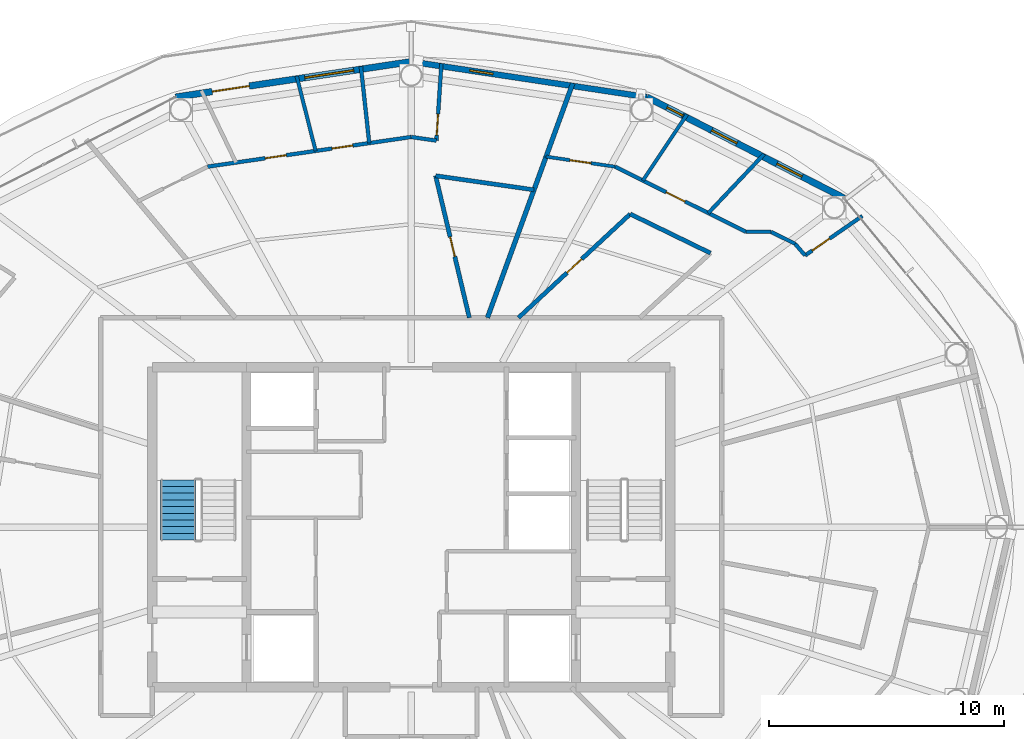
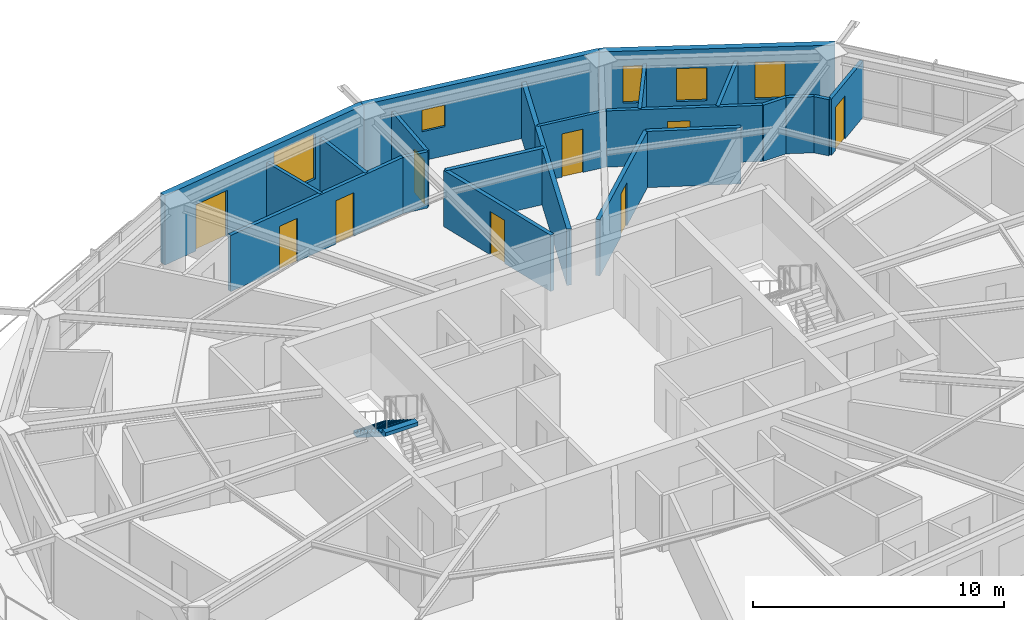
# One storey, part 19 of 23: 22 walls, 9 doors, 5 windows, 1 stair flight, 14 openings, 1 element without a shape of its own.
"""IFC4 building model written with IfcOpenShell, lengths in metres."""

from ifc_helpers import new_model, si_unit, direction, frame, frame_2d, origin, place, context, subcontext, project, spatial, polyline, rectangle, outline, extrude, material, layer, layer_set, type_object, element, fill, aggregate, save


model = new_model("IFC4")

# Units and contexts
model_context = context("Model", 3, precision=1e-05, world=origin(), true_north=direction((0.0, 1.0)))
body_context = subcontext(model_context, "Body", "Model", "MODEL_VIEW")
ifc_project = project(units=[si_unit("LENGTHUNIT", "METRE"), si_unit("AREAUNIT", "SQUARE_METRE"), si_unit("VOLUMEUNIT", "CUBIC_METRE"), si_unit("PLANEANGLEUNIT", "RADIAN"), si_unit("MASSUNIT", "GRAM", prefix="KILO")], contexts=[model_context])

# Site, building, storey
site_placement = place(None, origin())
site = spatial("IfcSite", under=ifc_project, at=site_placement, CompositionType="ELEMENT")
building_placement = place(site_placement, origin())
building = spatial("IfcBuilding", under=site, at=building_placement, Name="Sarneth Arch Tower", CompositionType="ELEMENT")
storey_placement = place(building_placement, frame((0.0, 0.0, 262.199951171875)))
storey = spatial("IfcBuildingStorey", under=building, at=storey_placement, Name="L67", CompositionType="ELEMENT", Elevation=262.199951171875)

# Wall, opening, window
ifc_material_1 = material(Name="Extruded terracotta rainscreen on Concrete C40/50 backing", Category="masonry")
ifc_layer_1 = layer(ifc_material_1, 0.25)
ifc_layer_set_1 = layer_set([ifc_layer_1], Name="Extruded terracotta rainscreen on Concrete C40/50 backing")
wall_type_1 = type_object("IfcWallType", Name="WALL-EXT-SPAND-250", PredefinedType="SOLIDWALL", material=ifc_layer_set_1)
wall_1_placement = place(storey_placement, frame((58.0126953125, 60.2744140625, 0.0), z_axis=(0.0, 0.0, 1.0), x_axis=(-0.988882522213, 0.148698881169, 0.0)))
wall_1 = element("IfcWall", 1, at=wall_1_placement, inside=storey, type_object=wall_type_1, Name="L67 Terracotta perimeter wall 04", PredefinedType="SOLIDWALL", context=body_context, shape_type="SweptSolid", body=[
    extrude(rectangle(XDim=10.125244140625, YDim=0.25, at=frame_2d((5.0625, 0.0))), origin(), (0.0, 0.0, 1.0), 3.3701171875),
])
opening_1_placement = place(wall_1_placement, frame((6.614013671875, 0.0, 1.419921875)))
opening_1 = element("IfcOpeningElement", 2, at=opening_1_placement, cuts=wall_1, Name="Opening W-14", PredefinedType="OPENING", context=body_context, shape_type="SweptSolid", body=[
    extrude(rectangle(XDim=1.0, YDim=1.050048828125, at=frame_2d((0.5, 0.52490234375))), frame((0.0, 0.135009765625, 0.0), z_axis=(0.0, -1.0, 0.0), x_axis=(1.0, 0.0, 0.0)), (0.0, 0.0, 1.0), 0.27001953125),
])
ifc_material_2 = material(Name="Thermally broken Aluminium 6063-T6 and low-e laminated IGU", Category="aluminium")
window_type_1 = type_object("IfcWindowType", Name="WIN-TWR-1000x1050", PartitioningType="SINGLE_PANEL", PredefinedType="WINDOW", material=ifc_material_2)
window_1_placement = place(opening_1_placement, origin())
window_1 = element("IfcWindow", 3, at=window_1_placement, inside=storey, type_object=window_type_1, Name="L67 Dwelling bedroom window 02", OverallHeight=1.050048828125, OverallWidth=1.0, PartitioningType="SINGLE_PANEL", PredefinedType="WINDOW", context=body_context, shape_type="SweptSolid", body=[
    extrude(rectangle(XDim=1.0, YDim=1.050048828125, at=frame_2d((0.5, 0.52490234375))), frame((0.0, 0.030029296875, 0.0), z_axis=(0.0, -1.0, 0.0), x_axis=(1.0, 0.0, 0.0)), (0.0, 0.0, 1.0), 0.06005859375),
])
fill(opening_1, window_1)

# Wall, openings, windows
ifc_material_3 = material(Name="Extruded terracotta rainscreen on Concrete C40/50 backing", Category="masonry")
ifc_layer_2 = layer(ifc_material_3, 0.280029296875)
ifc_layer_set_2 = layer_set([ifc_layer_2], Name="Extruded terracotta rainscreen on Concrete C40/50 backing")
wall_type_2 = type_object("IfcWallType", Name="WALL-EXT-TERRA-280", PredefinedType="SOLIDWALL", material=ifc_layer_set_2)
wall_2_placement = place(storey_placement, frame((66.382568359375, 55.986572265625, 0.0), z_axis=(0.0, 0.0, 1.0), x_axis=(-0.890007394051, 0.455946091699, 0.0)))
wall_2 = element("IfcWall", 4, at=wall_2_placement, inside=storey, type_object=wall_type_2, Name="L67 Terracotta perimeter wall 03", PredefinedType="SOLIDWALL", context=body_context, shape_type="SweptSolid", body=[
    extrude(rectangle(XDim=9.404296875, YDim=0.280029296875, at=frame_2d((4.7021484375, 0.0))), origin(), (0.0, 0.0, 1.0), 3.3701171875),
])
opening_2_placement = place(wall_2_placement, frame((1.996337890625, 0.0, 0.85009765625)))
opening_2 = element("IfcOpeningElement", 5, at=opening_2_placement, cuts=wall_2, Name="Opening W-09", PredefinedType="OPENING", context=body_context, shape_type="SweptSolid", body=[
    extrude(rectangle(XDim=1.199951171875, YDim=1.800048828125, at=frame_2d((0.60009765625, 0.89990234375))), frame((0.0, 0.14990234375, 0.0), z_axis=(0.0, -1.0, 0.0), x_axis=(1.0, 0.0, 0.0)), (0.0, 0.0, 1.0), 0.300048828125),
])
opening_3_placement = place(wall_2_placement, frame((5.10888671875, 0.0, 0.85009765625)))
opening_3 = element("IfcOpeningElement", 6, at=opening_3_placement, cuts=wall_2, Name="Opening W-10", PredefinedType="OPENING", context=body_context, shape_type="SweptSolid", body=[
    extrude(rectangle(XDim=1.199951171875, YDim=1.60009765625, at=frame_2d((0.60009765625, 0.800048828125))), frame((0.0, 0.14990234375, 0.0), z_axis=(0.0, -1.0, 0.0), x_axis=(1.0, 0.0, 0.0)), (0.0, 0.0, 1.0), 0.300048828125),
])
opening_4_placement = place(wall_2_placement, frame((7.690673828125, 0.0, 0.85009765625)))
opening_4 = element("IfcOpeningElement", 7, at=opening_4_placement, cuts=wall_2, Name="Opening W-13", PredefinedType="OPENING", context=body_context, shape_type="SweptSolid", body=[
    extrude(rectangle(XDim=0.75, YDim=1.800048828125, at=frame_2d((0.375, 0.89990234375))), frame((0.0, 0.14990234375, 0.0), z_axis=(0.0, -1.0, 0.0), x_axis=(1.0, 0.0, 0.0)), (0.0, 0.0, 1.0), 0.300048828125),
])
ifc_material_4 = material(Name="Thermally broken Aluminium 6063-T6 and low-e laminated IGU", Category="aluminium")
window_type_2 = type_object("IfcWindowType", Name="WIN-TWR-1200x1600", PartitioningType="SINGLE_PANEL", PredefinedType="WINDOW", material=ifc_material_4)
window_2_placement = place(opening_3_placement, origin())
window_2 = element("IfcWindow", 8, at=window_2_placement, inside=storey, type_object=window_type_2, Name="L67 Exterior window 03B", OverallHeight=1.60009765625, OverallWidth=1.199951171875, PartitioningType="SINGLE_PANEL", PredefinedType="WINDOW", context=body_context, shape_type="SweptSolid", body=[
    extrude(rectangle(XDim=1.199951171875, YDim=1.60009765625, at=frame_2d((0.60009765625, 0.800048828125))), frame((0.0, 0.030029296875, 0.0), z_axis=(0.0, -1.0, 0.0), x_axis=(1.0, 0.0, 0.0)), (0.0, 0.0, 1.0), 0.06005859375),
])
fill(opening_3, window_2)
ifc_material_5 = material(Name="Thermally broken Aluminium 6063-T6 and low-e laminated IGU", Category="aluminium")
window_type_3 = type_object("IfcWindowType", Name="WIN-TWR-1200x1800", PartitioningType="SINGLE_PANEL", PredefinedType="WINDOW", material=ifc_material_5)
window_3_placement = place(opening_2_placement, origin())
window_3 = element("IfcWindow", 9, at=window_3_placement, inside=storey, type_object=window_type_3, Name="L67 Exterior window 03A", OverallHeight=1.800048828125, OverallWidth=1.199951171875, PartitioningType="SINGLE_PANEL", PredefinedType="WINDOW", context=body_context, shape_type="SweptSolid", body=[
    extrude(rectangle(XDim=1.199951171875, YDim=1.800048828125, at=frame_2d((0.60009765625, 0.89990234375))), frame((0.0, 0.030029296875, 0.0), z_axis=(0.0, -1.0, 0.0), x_axis=(1.0, 0.0, 0.0)), (0.0, 0.0, 1.0), 0.06005859375),
])
fill(opening_2, window_3)
ifc_material_6 = material(Name="Thermally broken Aluminium 6063-T6 and low-e laminated IGU", Category="aluminium")
window_type_4 = type_object("IfcWindowType", Name="WIN-TWR-750x1800", PartitioningType="SINGLE_PANEL", PredefinedType="WINDOW", material=ifc_material_6)
window_4_placement = place(opening_4_placement, origin())
window_4 = element("IfcWindow", 10, at=window_4_placement, inside=storey, type_object=window_type_4, Name="L67 Dwelling bedroom window 01", OverallHeight=1.800048828125, OverallWidth=0.75, PartitioningType="SINGLE_PANEL", PredefinedType="WINDOW", context=body_context, shape_type="SweptSolid", body=[
    extrude(rectangle(XDim=0.75, YDim=1.800048828125, at=frame_2d((0.375, 0.89990234375))), frame((0.0, 0.030029296875, 0.0), z_axis=(0.0, -1.0, 0.0), x_axis=(1.0, 0.0, 0.0)), (0.0, 0.0, 1.0), 0.06005859375),
])
fill(opening_4, window_4)

# Wall, openings, door, window
wall_3_placement = place(storey_placement, frame((48.0, 61.780029296875, 0.0), z_axis=(0.0, 0.0, 1.0), x_axis=(-0.988882522213, -0.148698881169, 0.0)))
wall_3 = element("IfcWall", 11, at=wall_3_placement, inside=storey, type_object=wall_type_2, Name="L67 Terracotta perimeter wall 05", PredefinedType="SOLIDWALL", context=body_context, shape_type="SweptSolid", body=[
    extrude(rectangle(XDim=10.125244140625, YDim=0.280029296875, at=frame_2d((5.0625, 0.0))), origin(), (0.0, 0.0, 1.0), 3.3701171875),
])
opening_5_placement = place(wall_3_placement, frame((2.47509765625, 0.0, 0.85009765625)))
opening_5 = element("IfcOpeningElement", 12, at=opening_5_placement, cuts=wall_3, Name="Opening W-03", PredefinedType="OPENING", context=body_context, shape_type="SweptSolid", body=[
    extrude(rectangle(XDim=2.10009765625, YDim=2.199951171875, at=frame_2d((1.050048828125, 1.10009765625))), frame((0.0, 0.14990234375, 0.0), z_axis=(0.0, -1.0, 0.0), x_axis=(1.0, 0.0, 0.0)), (0.0, 0.0, 1.0), 0.300048828125),
])
opening_6_placement = place(wall_3_placement, frame((6.95556640625, 0.0, 0.0)))
opening_6 = element("IfcOpeningElement", 13, at=opening_6_placement, cuts=wall_3, Name="Opening BD-1", PredefinedType="OPENING", context=body_context, shape_type="SweptSolid", body=[
    extrude(rectangle(XDim=1.60009765625, YDim=2.25, at=frame_2d((0.800048828125, 1.125))), frame((0.0, 0.14990234375, 0.0), z_axis=(0.0, -1.0, 0.0), x_axis=(1.0, 0.0, 0.0)), (0.0, 0.0, 1.0), 0.300048828125),
])
ifc_material_7 = material(Name="Thermally broken Aluminium 6063-T6 and laminated safety glass", Category="aluminium")
door_type_1 = type_object("IfcDoorType", Name="DR-BALC-GLZ-1600", OperationType="DOUBLE_DOOR_SINGLE_SWING", PredefinedType="DOOR", material=ifc_material_7)
door_1_placement = place(opening_6_placement, origin())
door_1 = element("IfcDoor", 14, at=door_1_placement, inside=storey, type_object=door_type_1, Name="L67 Balcony glazed door 05", OperationType="DOUBLE_DOOR_SINGLE_SWING", OverallHeight=2.25, OverallWidth=1.60009765625, PredefinedType="DOOR", context=body_context, shape_type="SweptSolid", body=[
    extrude(rectangle(XDim=1.60009765625, YDim=2.25, at=frame_2d((0.800048828125, 1.125))), frame((0.0, 0.02490234375, 0.0), z_axis=(0.0, -1.0, 0.0), x_axis=(1.0, 0.0, 0.0)), (0.0, 0.0, 1.0), 0.050048828125),
])
fill(opening_6, door_1)
ifc_material_8 = material(Name="Thermally broken Aluminium 6063-T6 and low-e laminated IGU", Category="aluminium")
window_type_5 = type_object("IfcWindowType", Name="WIN-TWR-2100x2200", PartitioningType="DOUBLE_PANEL_VERTICAL", PredefinedType="WINDOW", material=ifc_material_8)
window_5_placement = place(opening_5_placement, origin())
window_5 = element("IfcWindow", 15, at=window_5_placement, inside=storey, type_object=window_type_5, Name="L67 Exterior window 05A", OverallHeight=2.199951171875, OverallWidth=2.10009765625, PartitioningType="SINGLE_PANEL", PredefinedType="WINDOW", context=body_context, shape_type="SweptSolid", body=[
    extrude(rectangle(XDim=2.10009765625, YDim=2.199951171875, at=frame_2d((1.050048828125, 1.10009765625))), frame((0.0, 0.030029296875, 0.0), z_axis=(0.0, -1.0, 0.0), x_axis=(1.0, 0.0, 0.0)), (0.0, 0.0, 1.0), 0.06005859375),
])
fill(opening_5, window_5)

# Wall, opening, door
ifc_material_9 = material(Name="Apartment internal stud partition", Category="gypsum")
ifc_layer_3 = layer(ifc_material_9, 0.139892578125)
ifc_layer_set_3 = layer_set([ifc_layer_3], Name="Apartment internal stud partition")
wall_type_3 = type_object("IfcWallType", Name="WALL-PART-140", PredefinedType="PARTITIONING", material=ifc_layer_set_3)
wall_4_placement = place(storey_placement, frame((53.73046875, 57.744384765625, 0.0), z_axis=(0.0, 0.0, 1.0), x_axis=(0.989530523264, -0.144323745545, 0.0)))
wall_4 = element("IfcWall", 16, at=wall_4_placement, inside=storey, type_object=wall_type_3, Name="L67 Interior partition W-L67-TP-033", PredefinedType="PARTITIONING", context=body_context, shape_type="SweptSolid", body=[
    extrude(rectangle(XDim=2.955322265625, YDim=0.139892578125, at=frame_2d((1.4775390625, 0.0))), origin(), (0.0, 0.0, 1.0), 2.72998046875),
])
opening_7_placement = place(wall_4_placement, frame((1.027587890625, 0.0, 0.0)))
opening_7 = element("IfcOpeningElement", 17, at=opening_7_placement, cuts=wall_4, Name="Opening ID-01", PredefinedType="OPENING", context=body_context, shape_type="SweptSolid", body=[
    extrude(rectangle(XDim=0.89990234375, YDim=2.10009765625, at=frame_2d((0.449951171875, 1.050048828125))), frame((0.0, 0.079833984375, 0.0), z_axis=(0.0, -1.0, 0.0), x_axis=(1.0, 0.0, 0.0)), (0.0, 0.0, 1.0), 0.159912109375),
])
ifc_material_10 = material(Name="Engineered hardwood flush door", Category="wood")
door_type_2 = type_object("IfcDoorType", Name="DR-INT-900", OperationType="SINGLE_SWING_LEFT", PredefinedType="DOOR", material=ifc_material_10)
door_2_placement = place(opening_7_placement, origin())
door_2 = element("IfcDoor", 18, at=door_2_placement, inside=storey, type_object=door_type_2, Name="L67 Interior door DR-L67-U1-BED2", OperationType="SINGLE_SWING_LEFT", OverallHeight=2.10009765625, OverallWidth=0.89990234375, PredefinedType="DOOR", context=body_context, shape_type="SweptSolid", body=[
    extrude(rectangle(XDim=0.89990234375, YDim=2.10009765625, at=frame_2d((0.449951171875, 1.050048828125))), frame((0.0, 0.02490234375, 0.0), z_axis=(0.0, -1.0, 0.0), x_axis=(1.0, 0.0, 0.0)), (0.0, 0.0, 1.0), 0.050048828125),
])
fill(opening_7, door_2)

# Walls
ifc_material_11 = material(Name="Acoustic gypsum stud partition", Category="gypsum")
ifc_layer_4 = layer(ifc_material_11, 0.14990234375)
ifc_layer_set_4 = layer_set([ifc_layer_4], Name="Acoustic gypsum stud partition")
wall_type_4 = type_object("IfcWallType", Name="WALL-PART-150", PredefinedType="PARTITIONING", material=ifc_layer_set_4)
wall_5_placement = place(storey_placement, frame((59.716796875, 59.535400390625, 0.0), z_axis=(0.0, 0.0, 1.0), x_axis=(-0.555567743092, -0.831471276013, 0.0)))
element("IfcWall", 19, at=wall_5_placement, inside=storey, type_object=wall_type_4, Name="L67 Interior partition W-L67-TP-040", PredefinedType="PARTITIONING", context=body_context, shape_type="SweptSolid", body=[
    extrude(rectangle(XDim=3.375732421875, YDim=0.14990234375, at=frame_2d((1.68798828125, 0.0))), origin(), (0.0, 0.0, 1.0), 2.72998046875),
])
wall_6_placement = place(storey_placement, frame((43.131591796875, 61.168701171875, 0.0), z_axis=(0.0, 0.0, 1.0), x_axis=(0.246087289335, -0.969247670117, 0.0)))
element("IfcWall", 20, at=wall_6_placement, inside=storey, type_object=wall_type_4, Name="L67 Interior partition W-L67-TP-053", PredefinedType="PARTITIONING", context=body_context, shape_type="SweptSolid", body=[
    extrude(rectangle(XDim=3.28173828125, YDim=0.14990234375, at=frame_2d((1.640869140625, 0.0))), origin(), (0.0, 0.0, 1.0), 2.72998046875),
])

# Wall, openings, doors
ifc_material_12 = material(Name="Kitchen wet service chase wall", Category="gypsum")
ifc_layer_5 = layer(ifc_material_12, 0.159912109375)
ifc_layer_set_5 = layer_set([ifc_layer_5], Name="Kitchen wet service chase wall")
wall_type_5 = type_object("IfcWallType", Name="WALL-PLUMB-160", PredefinedType="PLUMBINGWALL", material=ifc_layer_set_5)
wall_7_placement = place(storey_placement, frame((39.34521484375, 57.318115234375, 0.0), z_axis=(0.0, 0.0, 1.0), x_axis=(0.989536136377, 0.144285254977, 0.0)))
wall_7 = element("IfcWall", 21, at=wall_7_placement, inside=storey, type_object=wall_type_5, Name="L67 Interior partition W-L67-TP-048", PredefinedType="PLUMBINGWALL", context=body_context, shape_type="SweptSolid", body=[
    extrude(rectangle(XDim=8.746337890625, YDim=0.159912109375, at=frame_2d((4.373046875, 0.0))), origin(), (0.0, 0.0, 1.0), 2.72998046875),
])
opening_8_placement = place(wall_7_placement, frame((2.4814453125, 0.0, 0.0)))
opening_8 = element("IfcOpeningElement", 22, at=opening_8_placement, cuts=wall_7, Name="Opening ID-01", PredefinedType="OPENING", context=body_context, shape_type="SweptSolid", body=[
    extrude(rectangle(XDim=0.89990234375, YDim=2.10009765625, at=frame_2d((0.449951171875, 1.050048828125))), frame((0.0, 0.08984375, 0.0), z_axis=(0.0, -1.0, 0.0), x_axis=(1.0, 0.0, 0.0)), (0.0, 0.0, 1.0), 0.179931640625),
])
opening_9_placement = place(wall_7_placement, frame((5.343505859375, 0.0, 0.0)))
opening_9 = element("IfcOpeningElement", 23, at=opening_9_placement, cuts=wall_7, Name="Opening ID-01", PredefinedType="OPENING", context=body_context, shape_type="SweptSolid", body=[
    extrude(rectangle(XDim=0.89990234375, YDim=2.10009765625, at=frame_2d((0.449951171875, 1.050048828125))), frame((0.0, 0.08984375, 0.0), z_axis=(0.0, -1.0, 0.0), x_axis=(1.0, 0.0, 0.0)), (0.0, 0.0, 1.0), 0.179931640625),
])
door_3_placement = place(opening_8_placement, origin())
door_3 = element("IfcDoor", 24, at=door_3_placement, inside=storey, type_object=door_type_2, Name="L67 Interior door DR-L67-U2-BED2", OperationType="SINGLE_SWING_RIGHT", OverallHeight=2.10009765625, OverallWidth=0.89990234375, PredefinedType="DOOR", context=body_context, shape_type="SweptSolid", body=[
    extrude(rectangle(XDim=0.89990234375, YDim=2.10009765625, at=frame_2d((0.449951171875, 1.050048828125))), frame((0.0, 0.02490234375, 0.0), z_axis=(0.0, -1.0, 0.0), x_axis=(1.0, 0.0, 0.0)), (0.0, 0.0, 1.0), 0.050048828125),
])
fill(opening_8, door_3)
door_4_placement = place(opening_9_placement, origin())
door_4 = element("IfcDoor", 25, at=door_4_placement, inside=storey, type_object=door_type_2, Name="L67 Interior door DR-L67-U2-BED1", OperationType="SINGLE_SWING_LEFT", OverallHeight=2.10009765625, OverallWidth=0.89990234375, PredefinedType="DOOR", context=body_context, shape_type="SweptSolid", body=[
    extrude(rectangle(XDim=0.89990234375, YDim=2.10009765625, at=frame_2d((0.449951171875, 1.050048828125))), frame((0.0, 0.02490234375, 0.0), z_axis=(0.0, -1.0, 0.0), x_axis=(1.0, 0.0, 0.0)), (0.0, 0.0, 1.0), 0.050048828125),
])
fill(opening_9, door_4)

# Wall
wall_8_placement = place(storey_placement, frame((60.623046875, 55.3466796875, 0.0), z_axis=(0.0, 0.0, 1.0), x_axis=(0.687190766796, 0.726477012734, 0.0)))
element("IfcWall", 26, at=wall_8_placement, inside=storey, type_object=wall_type_5, Name="L67 Interior partition W-L67-TP-039", PredefinedType="PLUMBINGWALL", context=body_context, shape_type="SweptSolid", body=[
    extrude(rectangle(XDim=3.448974609375, YDim=0.159912109375, at=frame_2d((1.724609375, 0.0))), origin(), (0.0, 0.0, 1.0), 2.72998046875),
])

# Wall, opening, door
wall_9_placement = place(storey_placement, frame((49.282958984375, 61.7080078125, 0.0), z_axis=(0.0, 0.0, 1.0), x_axis=(-0.064987599341, -0.997886071619, 0.0)))
wall_9 = element("IfcWall", 27, at=wall_9_placement, inside=storey, type_object=wall_type_5, Name="L67 Interior partition W-L67-TP-042", PredefinedType="PLUMBINGWALL", context=body_context, shape_type="SweptSolid", body=[
    extrude(rectangle(XDim=3.290771484375, YDim=0.159912109375, at=frame_2d((1.6455078125, 0.0))), origin(), (0.0, 0.0, 1.0), 2.72998046875),
])
opening_10_placement = place(wall_9_placement, frame((2.155517578125, 0.0, 0.0)))
opening_10 = element("IfcOpeningElement", 28, at=opening_10_placement, cuts=wall_9, Name="Opening ID-01", PredefinedType="OPENING", context=body_context, shape_type="SweptSolid", body=[
    extrude(rectangle(XDim=0.89990234375, YDim=2.10009765625, at=frame_2d((0.449951171875, 1.050048828125))), frame((0.0, 0.08984375, 0.0), z_axis=(0.0, -1.0, 0.0), x_axis=(1.0, 0.0, 0.0)), (0.0, 0.0, 1.0), 0.179931640625),
])
door_5_placement = place(opening_10_placement, origin())
door_5 = element("IfcDoor", 29, at=door_5_placement, inside=storey, type_object=door_type_2, Name="L67 Interior door DR-L67-U2-KIT", OperationType="SINGLE_SWING_RIGHT", OverallHeight=2.10009765625, OverallWidth=0.89990234375, PredefinedType="DOOR", context=body_context, shape_type="SweptSolid", body=[
    extrude(rectangle(XDim=0.89990234375, YDim=2.10009765625, at=frame_2d((0.449951171875, 1.050048828125))), frame((0.0, 0.02490234375, 0.0), z_axis=(0.0, -1.0, 0.0), x_axis=(1.0, 0.0, 0.0)), (0.0, 0.0, 1.0), 0.050048828125),
])
fill(opening_10, door_5)

# Wall
wall_10_placement = place(storey_placement, frame((46.217041015625, 58.320068359375, 0.0), z_axis=(0.0, 0.0, 1.0), x_axis=(-0.108559889868, 0.994089910577, 0.0)))
element("IfcWall", 30, at=wall_10_placement, inside=storey, type_object=wall_type_5, Name="L67 Interior partition W-L67-TP-052", PredefinedType="PLUMBINGWALL", context=body_context, shape_type="SweptSolid", body=[
    extrude(rectangle(XDim=3.27880859375, YDim=0.159912109375, at=frame_2d((1.639404296875, 0.0))), origin(), (0.0, 0.0, 1.0), 2.72998046875),
])

# Wall, opening, door
wall_11_placement = place(storey_placement, frame((56.655029296875, 57.318115234375, 0.0), z_axis=(0.0, 0.0, 1.0), x_axis=(0.89555447129, -0.444951895099, 0.0)))
wall_11 = element("IfcWall", 31, at=wall_11_placement, inside=storey, type_object=wall_type_5, Name="L67 Interior partition W-L67-TP-032", PredefinedType="PLUMBINGWALL", context=body_context, shape_type="SweptSolid", body=[
    extrude(rectangle(XDim=6.2216796875, YDim=0.159912109375, at=frame_2d((3.11083984375, 0.0))), origin(), (0.0, 0.0, 1.0), 2.72998046875),
])
opening_11_placement = place(wall_11_placement, frame((2.428466796875, 0.0, 0.0)))
opening_11 = element("IfcOpeningElement", 32, at=opening_11_placement, cuts=wall_11, Name="Opening ID-01", PredefinedType="OPENING", context=body_context, shape_type="SweptSolid", body=[
    extrude(rectangle(XDim=0.89990234375, YDim=2.10009765625, at=frame_2d((0.449951171875, 1.050048828125))), frame((0.0, 0.08984375, 0.0), z_axis=(0.0, -1.0, 0.0), x_axis=(1.0, 0.0, 0.0)), (0.0, 0.0, 1.0), 0.179931640625),
])
door_6_placement = place(opening_11_placement, origin())
door_6 = element("IfcDoor", 33, at=door_6_placement, inside=storey, type_object=door_type_2, Name="L67 Interior door DR-L67-U1-BED1", OperationType="SINGLE_SWING_RIGHT", OverallHeight=2.10009765625, OverallWidth=0.89990234375, PredefinedType="DOOR", context=body_context, shape_type="SweptSolid", body=[
    extrude(rectangle(XDim=0.89990234375, YDim=2.10009765625, at=frame_2d((0.449951171875, 1.050048828125))), frame((0.0, 0.02490234375, 0.0), z_axis=(0.0, -1.0, 0.0), x_axis=(1.0, 0.0, 0.0)), (0.0, 0.0, 1.0), 0.050048828125),
])
fill(opening_11, door_6)

wall_12_placement = place(storey_placement, frame((67.168701171875, 55.22412109375, 0.0), z_axis=(0.0, 0.0, 1.0), x_axis=(-0.823115625857, -0.567873812101, 0.0)))
wall_12 = element("IfcWall", 34, at=wall_12_placement, inside=storey, type_object=wall_type_5, Name="L67 Interior partition W-L67-TP-024", PredefinedType="PLUMBINGWALL", context=body_context, shape_type="SweptSolid", body=[
    extrude(rectangle(XDim=2.95654296875, YDim=0.159912109375, at=frame_2d((1.478271484375, 0.0))), origin(), (0.0, 0.0, 1.0), 2.72998046875),
])
opening_12_placement = place(wall_12_placement, frame((1.688232421875, 0.0, 0.0)))
opening_12 = element("IfcOpeningElement", 35, at=opening_12_placement, cuts=wall_12, Name="Opening ID-01", PredefinedType="OPENING", context=body_context, shape_type="SweptSolid", body=[
    extrude(rectangle(XDim=0.89990234375, YDim=2.10009765625, at=frame_2d((0.449951171875, 1.050048828125))), frame((0.0, 0.08984375, 0.0), z_axis=(0.0, -1.0, 0.0), x_axis=(1.0, 0.0, 0.0)), (0.0, 0.0, 1.0), 0.179931640625),
])
door_7_placement = place(opening_12_placement, origin())
door_7 = element("IfcDoor", 36, at=door_7_placement, inside=storey, type_object=door_type_2, Name="L67 Interior door DR-L67-U1-KIT", OperationType="SINGLE_SWING_RIGHT", OverallHeight=2.10009765625, OverallWidth=0.89990234375, PredefinedType="DOOR", context=body_context, shape_type="SweptSolid", body=[
    extrude(rectangle(XDim=0.89990234375, YDim=2.10009765625, at=frame_2d((0.449951171875, 1.050048828125))), frame((0.0, 0.02490234375, 0.0), z_axis=(0.0, -1.0, 0.0), x_axis=(1.0, 0.0, 0.0)), (0.0, 0.0, 1.0), 0.050048828125),
])
fill(opening_12, door_7)

# Walls
wall_13_placement = place(storey_placement, frame((64.31103515625, 54.0419921875, 0.0), z_axis=(0.0, 0.0, 1.0), x_axis=(-0.895409226325, 0.445244109912, 0.0)))
element("IfcWall", 37, at=wall_13_placement, inside=storey, type_object=wall_type_5, Name="L67 Interior partition W-L67-TP-026", PredefinedType="PLUMBINGWALL", context=body_context, shape_type="SweptSolid", body=[
    extrude(rectangle(XDim=1.14111328125, YDim=0.159912109375, at=frame_2d((0.570556640625, 0.0))), origin(), (0.0, 0.0, 1.0), 2.72998046875),
])
wall_14_placement = place(storey_placement, frame((49.069091796875, 58.424072265625, 0.0), z_axis=(0.0, 0.0, 1.0), x_axis=(-0.989520204584, 0.144394476074, 0.0)))
element("IfcWall", 38, at=wall_14_placement, inside=storey, type_object=wall_type_5, Name="L67 Interior partition W-L67-TP-043", PredefinedType="PLUMBINGWALL", context=body_context, shape_type="SweptSolid", body=[
    extrude(rectangle(XDim=1.080322265625, YDim=0.159912109375, at=frame_2d((0.5400390625, 0.0))), origin(), (0.0, 0.0, 1.0), 2.72998046875),
])
wall_15_placement = place(storey_placement, frame((63.289306640625, 54.550048828125, 0.0), z_axis=(0.0, 0.0, 1.0), x_axis=(-1.0, 0.0, 0.0)))
element("IfcWall", 39, at=wall_15_placement, inside=storey, type_object=wall_type_5, Name="L67 Interior partition W-L67-TP-027", PredefinedType="PLUMBINGWALL", context=body_context, shape_type="SweptSolid", body=[
    extrude(rectangle(XDim=1.0625, YDim=0.159912109375, at=frame_2d((0.53125, 0.0))), origin(), (0.0, 0.0, 1.0), 2.72998046875),
])
wall_16_placement = place(storey_placement, frame((64.735107421875, 53.545166015625, 0.0), z_axis=(0.0, 0.0, 1.0), x_axis=(-0.649220192727, 0.760600513644, 0.0)))
element("IfcWall", 40, at=wall_16_placement, inside=storey, type_object=wall_type_5, Name="L67 Interior partition W-L67-TP-025", PredefinedType="PLUMBINGWALL", context=body_context, shape_type="SweptSolid", body=[
    extrude(rectangle(XDim=0.6533203125, YDim=0.159912109375, at=frame_2d((0.32666015625, 0.0))), origin(), (0.0, 0.0, 1.0), 2.72998046875),
])

# Wall, opening, door
ifc_material_13 = material(Name="Moisture-resistant plumbing chase wall", Category="gypsum")
ifc_layer_6 = layer(ifc_material_13, 0.179931640625)
ifc_layer_set_6 = layer_set([ifc_layer_6], Name="Moisture-resistant plumbing chase wall")
wall_type_6 = type_object("IfcWallType", Name="WALL-PLUMB-180", PredefinedType="PLUMBINGWALL", material=ifc_layer_set_6)
wall_17_placement = place(storey_placement, frame((52.557861328125, 50.89990234375, 0.0), z_axis=(0.0, 0.0, 1.0), x_axis=(0.732849863846, 0.68039038578, 0.0)))
wall_17 = element("IfcWall", 41, at=wall_17_placement, inside=storey, type_object=wall_type_6, Name="L67 Interior partition W-L67-TP-029", PredefinedType="PLUMBINGWALL", context=body_context, shape_type="SweptSolid", body=[
    extrude(rectangle(XDim=6.478271484375, YDim=0.179931640625, at=frame_2d((3.2392578125, 0.0))), origin(), (0.0, 0.0, 1.0), 2.72998046875),
])
opening_13_placement = place(wall_17_placement, frame((2.81396484375, 0.0, 0.0)))
opening_13 = element("IfcOpeningElement", 42, at=opening_13_placement, cuts=wall_17, Name="Opening ID-02", PredefinedType="OPENING", context=body_context, shape_type="SweptSolid", body=[
    extrude(rectangle(XDim=0.85009765625, YDim=2.10009765625, at=frame_2d((0.425048828125, 1.050048828125))), frame((0.0, 0.099853515625, 0.0), z_axis=(0.0, -1.0, 0.0), x_axis=(1.0, 0.0, 0.0)), (0.0, 0.0, 1.0), 0.199951171875),
])
ifc_material_14 = material(Name="Moisture-resistant bathroom timber door", Category="wood")
door_type_3 = type_object("IfcDoorType", Name="DR-INT-850", OperationType="SINGLE_SWING_RIGHT", PredefinedType="DOOR", material=ifc_material_14)
door_8_placement = place(opening_13_placement, origin())
door_8 = element("IfcDoor", 43, at=door_8_placement, inside=storey, type_object=door_type_3, Name="L67 Interior door DR-L67-U1-BATH", OperationType="SINGLE_SWING_LEFT", OverallHeight=2.10009765625, OverallWidth=0.85009765625, PredefinedType="DOOR", context=body_context, shape_type="SweptSolid", body=[
    extrude(rectangle(XDim=0.85009765625, YDim=2.10009765625, at=frame_2d((0.425048828125, 1.050048828125))), frame((0.0, 0.02490234375, 0.0), z_axis=(0.0, -1.0, 0.0), x_axis=(1.0, 0.0, 0.0)), (0.0, 0.0, 1.0), 0.050048828125),
])
fill(opening_13, door_8)

wall_18_placement = place(storey_placement, frame((50.46923828125, 50.89990234375, 0.0), z_axis=(0.0, 0.0, 1.0), x_axis=(-0.231121823084, 0.972924818727, 0.0)))
wall_18 = element("IfcWall", 44, at=wall_18_placement, inside=storey, type_object=wall_type_6, Name="L67 Interior partition W-L67-TP-045", PredefinedType="PLUMBINGWALL", context=body_context, shape_type="SweptSolid", body=[
    extrude(rectangle(XDim=6.19970703125, YDim=0.179931640625, at=frame_2d((3.099853515625, 0.0))), origin(), (0.0, 0.0, 1.0), 2.72998046875),
])
opening_14_placement = place(wall_18_placement, frame((2.6748046875, 0.0, 0.0)))
opening_14 = element("IfcOpeningElement", 45, at=opening_14_placement, cuts=wall_18, Name="Opening ID-02", PredefinedType="OPENING", context=body_context, shape_type="SweptSolid", body=[
    extrude(rectangle(XDim=0.85009765625, YDim=2.10009765625, at=frame_2d((0.425048828125, 1.050048828125))), frame((0.0, 0.099853515625, 0.0), z_axis=(0.0, -1.0, 0.0), x_axis=(1.0, 0.0, 0.0)), (0.0, 0.0, 1.0), 0.199951171875),
])
door_9_placement = place(opening_14_placement, origin())
door_9 = element("IfcDoor", 46, at=door_9_placement, inside=storey, type_object=door_type_3, Name="L67 Interior door DR-L67-U2-BATH", OperationType="SINGLE_SWING_LEFT", OverallHeight=2.10009765625, OverallWidth=0.85009765625, PredefinedType="DOOR", context=body_context, shape_type="SweptSolid", body=[
    extrude(rectangle(XDim=0.85009765625, YDim=2.10009765625, at=frame_2d((0.425048828125, 1.050048828125))), frame((0.0, 0.02490234375, 0.0), z_axis=(0.0, -1.0, 0.0), x_axis=(1.0, 0.0, 0.0)), (0.0, 0.0, 1.0), 0.050048828125),
])
fill(opening_14, door_9)

# Walls
wall_19_placement = place(storey_placement, frame((49.036376953125, 56.931640625, 0.0), z_axis=(0.0, 0.0, 1.0), x_axis=(0.989927514161, -0.141575127434, 0.0)))
element("IfcWall", 47, at=wall_19_placement, inside=storey, type_object=wall_type_6, Name="L67 Interior partition W-L67-TP-046", PredefinedType="PLUMBINGWALL", context=body_context, shape_type="SweptSolid", body=[
    extrude(rectangle(XDim=4.22314453125, YDim=0.179931640625, at=frame_2d((2.111572265625, 0.0))), origin(), (0.0, 0.0, 1.0), 2.72998046875),
])
wall_20_placement = place(storey_placement, frame((57.305419921875, 55.3076171875, 0.0), z_axis=(0.0, 0.0, 1.0), x_axis=(0.898917645735, -0.438117639667, 0.0)))
element("IfcWall", 48, at=wall_20_placement, inside=storey, type_object=wall_type_6, Name="L67 Interior partition W-L67-TP-030", PredefinedType="PLUMBINGWALL", context=body_context, shape_type="SweptSolid", body=[
    extrude(rectangle(XDim=3.788818359375, YDim=0.179931640625, at=frame_2d((1.89453125, 0.0))), origin(), (0.0, 0.0, 1.0), 2.72998046875),
])
ifc_material_15 = material(Name="Double steel-stud acoustic drywall", Category="steel")
ifc_layer_7 = layer(ifc_material_15, 0.199951171875)
ifc_layer_set_7 = layer_set([ifc_layer_7], Name="Double steel-stud acoustic drywall")
wall_type_7 = type_object("IfcWallType", Name="WALL-UNIT-200", PredefinedType="PARTITIONING", material=ifc_layer_set_7)
wall_21_placement = place(storey_placement, frame((51.2392578125, 50.89990234375, 0.0), z_axis=(0.0, 0.0, 1.0), x_axis=(0.342027045015, 0.939690108748, 0.0)))
element("IfcWall", 49, at=wall_21_placement, inside=storey, type_object=wall_type_7, Name="L67 Interior partition W-L67-TP-036", PredefinedType="PARTITIONING", context=body_context, shape_type="SweptSolid", body=[
    extrude(rectangle(XDim=7.31640625, YDim=0.199951171875, at=frame_2d((3.658203125, 0.0))), origin(), (0.0, 0.0, 1.0), 2.72998046875),
])
wall_22_placement = place(storey_placement, frame((54.86669921875, 60.866455078125, 0.0), z_axis=(0.0, 0.0, 1.0), x_axis=(-0.342000121366, -0.939699907942, 0.0)))
element("IfcWall", 50, at=wall_22_placement, inside=storey, type_object=wall_type_7, Name="L67 Interior partition W-L67-TP-041", PredefinedType="PARTITIONING", context=body_context, shape_type="SweptSolid", body=[
    extrude(rectangle(XDim=3.355224609375, YDim=0.199951171875, at=frame_2d((1.677734375, 0.0))), origin(), (0.0, 0.0, 1.0), 2.72998046875),
])

# Stair, stair flight
ifc_material_16 = material(Name="Concrete C50/60", Category="concrete")
stair_type = type_object("IfcStairType", Name="STAIR-CORE-RC", PredefinedType="HALF_TURN_STAIR", material=ifc_material_16)
stair_placement = place(storey_placement, origin())
stair = element("IfcStair", 51, at=stair_placement, inside=storey, type_object=stair_type, Name="L67 Core Exit Stair 1", PredefinedType="HALF_TURN_STAIR")
ifc_material_17 = material(Name="Concrete C50/60", Category="concrete")
stair_flight_type = type_object("IfcStairFlightType", Name="FLIGHT-RC-1500", PredefinedType="STRAIGHT", material=ifc_material_17)
stair_flight_placement = place(storey_placement, frame((38.10009765625, 44.014892578125, 1.800048828125), z_axis=(0.0, 0.0, 1.0), x_axis=(0.0, -1.0, 0.0)))
stair_flight = element("IfcStairFlight", 52, at=stair_flight_placement, type_object=stair_flight_type, Name="ST-1 flight 2", NumberOfRisers=10, NumberOfTreads=9, PredefinedType="STRAIGHT", RiserHeight=0.18, TreadLength=0.285, context=body_context, shape_type="SweptSolid", body=[
    extrude(outline(polyline([(0.0, 0.0), (0.0, 0.179931640625), (0.284912109375, 0.179931640625), (0.284912109375, 0.360107421875), (0.570068359375, 0.360107421875), (0.570068359375, 0.5400390625), (0.85498046875, 0.5400390625), (0.85498046875, 0.719970703125), (1.139892578125, 0.719970703125), (1.139892578125, 0.89990234375), (1.425048828125, 0.89990234375), (1.425048828125, 1.080078125), (1.7099609375, 1.080078125), (1.7099609375, 1.260009765625), (1.9951171875, 1.260009765625), (1.9951171875, 1.43994140625), (2.280029296875, 1.43994140625), (2.280029296875, 1.6201171875), (2.56494140625, 1.6201171875), (2.56494140625, 1.800048828125), (2.56494140625, 1.442626953125), (0.28076171875, 0.0), (0.0, 0.0)])), frame((0.0, 0.75, 0.0), z_axis=(0.0, -1.0, 0.0), x_axis=(1.0, 0.0, 0.0)), (0.0, 0.0, 1.0), 1.5),
])
aggregate(stair, [stair_flight])

save(model, "model.ifc")
